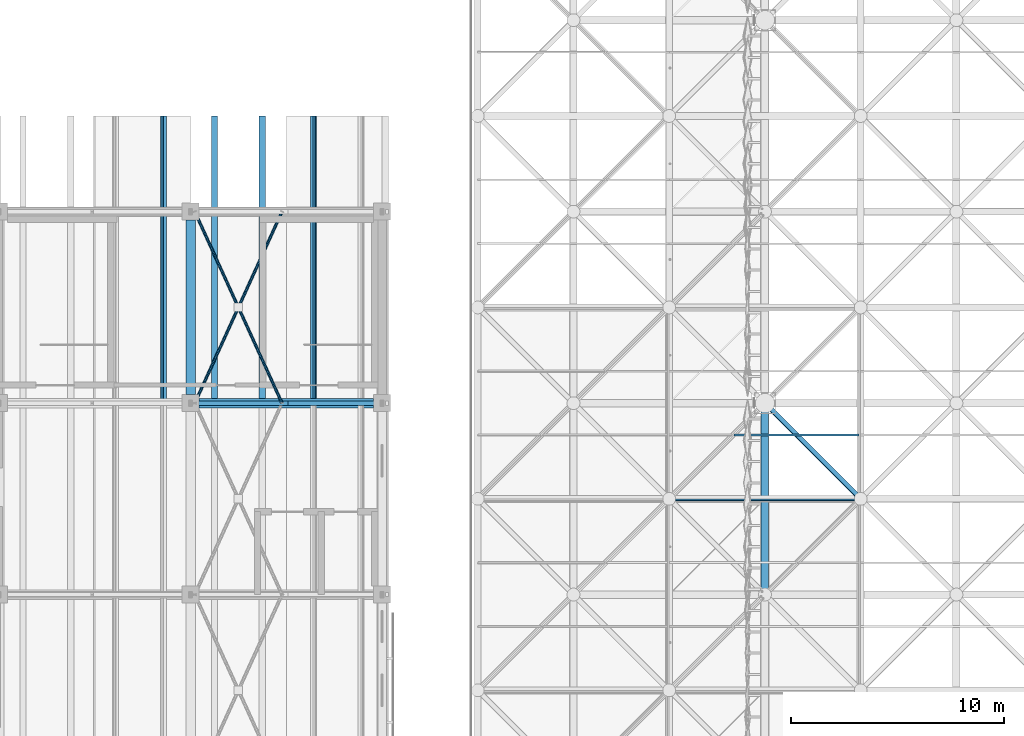
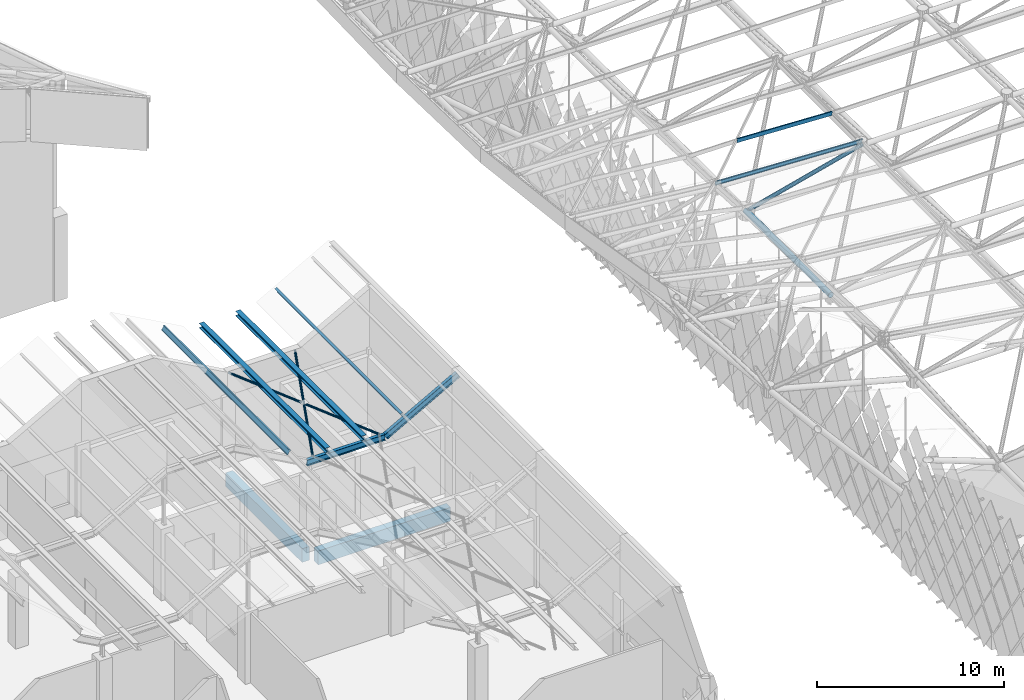
# One storey, part 75 of 437: 13 members, 2 beams.
"""IFC4 building model written with IfcOpenShell, lengths in metres."""

from ifc_helpers import new_model, si_unit, direction, frame, origin, origin_2d, place, context, subcontext, project, spatial, polyline, rectangle, hollow_circle, i_section, outline, extrude, material, material_profile, profile_set, type_object, element, save


model = new_model("IFC4")

# Units and contexts
model_context = context("Model", 3, precision=1e-05, world=origin(), true_north=direction((0.0, 1.0)))
body_context = subcontext(model_context, "Body", "Model", "MODEL_VIEW")
ifc_project = project(units=[si_unit("LENGTHUNIT", "METRE"), si_unit("AREAUNIT", "SQUARE_METRE"), si_unit("VOLUMEUNIT", "CUBIC_METRE"), si_unit("PLANEANGLEUNIT", "RADIAN"), si_unit("MASSUNIT", "GRAM", prefix="KILO")], contexts=[model_context])

# Site, building, storey
site_placement = place(None, origin())
site = spatial("IfcSite", under=ifc_project, at=site_placement, CompositionType="ELEMENT")
building_placement = place(site_placement, origin())
building = spatial("IfcBuilding", under=site, at=building_placement, Name="Opaline Strait Convention Centre", CompositionType="ELEMENT")
storey_placement = place(building_placement, frame((0.0, 0.0, 11.5)))
storey = spatial("IfcBuildingStorey", under=building, at=storey_placement, Name="L02", CompositionType="ELEMENT", Elevation=11.5)

# Members
ifc_material_1 = material(Name="Steel Q355B", Category="steel")
ifc_material_profile_1 = material_profile(ifc_material_1, i_section(OverallWidth=0.300048828125, OverallDepth=0.300048828125, WebThickness=0.010009765625, FlangeThickness=0.014892578125, FilletRadius=0.012939453125, at=origin_2d()), Name="HW 300x300x10x15")
ifc_profile_set_1 = profile_set([ifc_material_profile_1], Name="Steel Q355B")
member_type_1 = type_object("IfcMemberType", Name="Crest purlin HW 300x300x10x15", PredefinedType="PURLIN", material=ifc_profile_set_1)
for number, where, z_axis, x_axis, name in (
    (1, (73.125, 90.0, 5.949951171875), (0.0, 1.0, 0.0), (-1.0, 0.0, 0.0), "RU1 purlin facet 15 line 1"),
    (2, (75.375, 90.0, 5.949951171875), (0.0, 1.0, 0.0), (-1.0, 0.0, 0.0), "RU1 purlin facet 15 line 2"),
):
    element("IfcMember", number, at=place(storey_placement, frame(where, z_axis=z_axis, x_axis=x_axis)), inside=storey, type_object=member_type_1, Name=name, PredefinedType="PURLIN", context=body_context, shape_type="SweptSolid", body=[
        extrude(i_section(OverallWidth=0.300048828125, OverallDepth=0.300048828125, WebThickness=0.010009765625, FlangeThickness=0.014892578125, FilletRadius=0.012939453125, at=origin_2d()), origin(), (0.0, 0.0, 1.0), 13.5),
    ])

# Beams
ifc_material_2 = material(Name="Concrete C35", Category="concrete")
ifc_material_profile_2 = material_profile(ifc_material_2, rectangle(XDim=0.449951171875, YDim=0.89990234375, at=origin_2d()), Name="RC 450x900")
ifc_profile_set_2 = profile_set([ifc_material_profile_2], Name="Concrete C35")
beam_type = type_object("IfcBeamType", Name="RC beam 450x900 C35", PredefinedType="BEAM", material=ifc_profile_set_2)
for number, where, z_axis, x_axis, name in (
    (3, (72.39990234375, 90.0, -0.72998046875), (1.0, 0.0, 0.0), (0.0, 1.0, 0.0), "XB1 L02 72/90-81/90"),
    (4, (72.0, 90.39990234375, -0.72998046875), (0.0, 1.0, 0.0), (-1.0, 0.0, 0.0), "XB1 L02 72/90-72/99"),
):
    element("IfcBeam", number, at=place(storey_placement, frame(where, z_axis=z_axis, x_axis=x_axis)), inside=storey, type_object=beam_type, Name=name, PredefinedType="BEAM", context=body_context, shape_type="SweptSolid", body=[
        extrude(rectangle(XDim=0.449951171875, YDim=0.89990234375, at=origin_2d()), origin(), (0.0, 0.0, 1.0), 8.2001953125),
    ])

# Members
ifc_material_profile_3 = material_profile(ifc_material_1, hollow_circle(Radius=0.070068359375, WallThickness=0.0048828125, at=origin_2d()), Name="CHS 140x5")
ifc_profile_set_3 = profile_set([ifc_material_profile_3], Name="Steel Q355B")
member_type_2 = type_object("IfcMemberType", Name="Roof bracing CHS 140x5", PredefinedType="BRACE", material=ifc_profile_set_3)
member_1_placement = place(storey_placement, frame((72.199951171875, 90.0, 5.8701171875), z_axis=(0.414572789354, 0.910016154981, 0.0), x_axis=(-0.910016154981, 0.414572789354, 0.0)))
element("IfcMember", 5, at=member_1_placement, inside=storey, type_object=member_type_2, Name="RX1 roof brace bay 10 at 72", PredefinedType="BRACE", context=body_context, shape_type="SweptSolid", body=[
    extrude(hollow_circle(Radius=0.070068359375, WallThickness=0.0048828125, at=origin_2d()), origin(), (0.0, 0.0, 1.0), 9.889892578125),
])
for number, where, z_axis, x_axis, name in (
    (6, (76.300048828125, 90.0, 5.8701171875), (-0.41458243593, 0.910011760264, 0.0), (-0.910011760264, -0.41458243593, 0.0), "RX1 roof brace bay 10 at 72"),
    (7, (74.185546875, 94.6416015625, 5.8701171875), (-0.41458243593, 0.910011760264, 0.0), (-0.910011760264, -0.41458243593, 0.0), "RX1 roof brace bay 10 at 72"),
):
    element("IfcMember", number, at=place(storey_placement, frame(where, z_axis=z_axis, x_axis=x_axis)), inside=storey, type_object=member_type_2, Name=name, PredefinedType="BRACE", context=body_context, shape_type="SweptSolid", body=[
        extrude(hollow_circle(Radius=0.070068359375, WallThickness=0.0048828125, at=origin_2d()), origin(), (0.0, 0.0, 1.0), 4.789306640625),
    ])
ifc_material_profile_4 = material_profile(ifc_material_1, outline(polyline([(-0.03759765625, -0.125), (0.03759765625, -0.125), (0.03759765625, -0.10498046875), (0.034912109375, -0.10498046875), (0.034912109375, -0.12255859375), (-0.034912109375, -0.12255859375), (-0.034912109375, 0.12255859375), (0.034912109375, 0.12255859375), (0.034912109375, 0.10498046875), (0.03759765625, 0.10498046875), (0.03759765625, 0.125), (-0.03759765625, 0.125), (-0.03759765625, -0.125)])), Name="C 250x75x20x2.5")
ifc_profile_set_4 = profile_set([ifc_material_profile_4], Name="Steel Q355B")
member_type_3 = type_object("IfcMemberType", Name="Roof purlin C 250x75x20x2.5", PredefinedType="PURLIN", material=ifc_profile_set_4)
member_2_placement = place(storey_placement, frame((103.550048828125, 85.45361328125, 18.257568359375), z_axis=(-0.999005016003, 0.0, 0.044597959613), x_axis=(0.002411571545, -0.998536953469, 0.054019782307)))
element("IfcMember", 8, at=member_2_placement, inside=storey, type_object=member_type_3, Name="EXB-RF-E-1-4b", PredefinedType="PURLIN", context=body_context, shape_type="SweptSolid", body=[
    extrude(outline(polyline([(-0.03759765625, -0.125), (0.03759765625, -0.125), (0.03759765625, -0.10498046875), (0.034912109375, -0.10498046875), (0.034912109375, -0.12255859375), (-0.034912109375, -0.12255859375), (-0.034912109375, 0.12255859375), (0.034912109375, 0.12255859375), (0.034912109375, 0.10498046875), (0.03759765625, 0.10498046875), (0.03759765625, 0.125), (-0.03759765625, 0.125), (-0.03759765625, -0.125)])), origin(), (0.0, 0.0, 1.0), 9.109130859375),
])
member_3_placement = place(storey_placement, frame((97.550048828125, 88.5, 18.522705078125), z_axis=(0.999005721795, 0.0, -0.044582146876), x_axis=(0.0, 1.0, 0.0)))
element("IfcMember", 9, at=member_3_placement, inside=storey, type_object=member_type_3, Name="EXB-RF-P-1-5-0a", PredefinedType="PURLIN", context=body_context, shape_type="SweptSolid", body=[
    extrude(outline(polyline([(-0.03759765625, -0.125), (0.03759765625, -0.125), (0.03759765625, -0.10498046875), (0.034912109375, -0.10498046875), (0.034912109375, -0.12255859375), (-0.034912109375, -0.12255859375), (-0.034912109375, 0.12255859375), (0.034912109375, 0.12255859375), (0.034912109375, 0.10498046875), (0.03759765625, 0.10498046875), (0.03759765625, 0.125), (-0.03759765625, 0.125), (-0.03759765625, -0.125)])), origin(), (0.0, 0.0, 1.0), 5.8759765625),
])
ifc_material_profile_5 = material_profile(ifc_material_1, i_section(OverallWidth=0.14990234375, OverallDepth=0.300048828125, WebThickness=0.006591796875, FlangeThickness=0.009033203125, FilletRadius=0.012939453125, at=origin_2d()), Name="HN 300x150x6.5x9")
ifc_profile_set_5 = profile_set([ifc_material_profile_5], Name="Steel Q355B")
member_type_4 = type_object("IfcMemberType", Name="Roof purlin HN 300x150x6.5x9", PredefinedType="PURLIN", material=ifc_profile_set_5)
for number, where, z_axis, x_axis, name in (
    (10, (70.729248046875, 90.0, 6.61279296875), (0.0, 1.0, 0.0), (-0.874157310866, 0.0, 0.485642868639), "RU1 purlin facet 14 line 2"),
    (11, (77.770751953125, 90.0, 6.61279296875), (0.0, 1.0, 0.0), (-0.874157310866, 0.0, -0.485642868639), "RU1 purlin facet 16 line 1"),
):
    element("IfcMember", number, at=place(storey_placement, frame(where, z_axis=z_axis, x_axis=x_axis)), inside=storey, type_object=member_type_4, Name=name, PredefinedType="PURLIN", context=body_context, shape_type="SweptSolid", body=[
        extrude(i_section(OverallWidth=0.14990234375, OverallDepth=0.300048828125, WebThickness=0.006591796875, FlangeThickness=0.009033203125, FilletRadius=0.012939453125, at=origin_2d()), origin(), (0.0, 0.0, 1.0), 13.5),
    ])
ifc_material_profile_6 = material_profile(ifc_material_1, i_section(OverallWidth=0.199951171875, OverallDepth=0.39990234375, WebThickness=0.008056640625, FlangeThickness=0.012939453125, FilletRadius=0.012939453125, at=origin_2d()), Name="HN 400x200x8x13")
ifc_profile_set_6 = profile_set([ifc_material_profile_6], Name="Steel Q355B")
member_type_5 = type_object("IfcMemberType", Name="Roof rafter HN 400x200x8x13", PredefinedType="RAFTER", material=ifc_profile_set_6)
member_4_placement = place(storey_placement, frame((71.83154296875, 90.0, 5.60009765625), z_axis=(1.0, 0.0, 0.0), x_axis=(0.0, 1.0, 0.0)))
element("IfcMember", 12, at=member_4_placement, inside=storey, type_object=member_type_5, Name="RR1 rafter line 10 facet 16", PredefinedType="RAFTER", context=body_context, shape_type="SweptSolid", body=[
    extrude(i_section(OverallWidth=0.199951171875, OverallDepth=0.39990234375, WebThickness=0.008056640625, FlangeThickness=0.012939453125, FilletRadius=0.012939453125, at=origin_2d()), origin(), (0.0, 0.0, 1.0), 4.8369140625),
])
member_5_placement = place(storey_placement, frame((76.66845703125, 90.0, 5.60009765625), z_axis=(0.874157276122, 0.0, 0.485642931179), x_axis=(0.0, 1.0, 0.0)))
element("IfcMember", 13, at=member_5_placement, inside=storey, type_object=member_type_5, Name="RR1 rafter line 10 facet 17", PredefinedType="RAFTER", context=body_context, shape_type="SweptSolid", body=[
    extrude(i_section(OverallWidth=0.199951171875, OverallDepth=0.39990234375, WebThickness=0.008056640625, FlangeThickness=0.012939453125, FilletRadius=0.012939453125, at=origin_2d()), origin(), (0.0, 0.0, 1.0), 5.147705078125),
])
ifc_material_profile_7 = material_profile(ifc_material_1, hollow_circle(Radius=0.175537109375, WallThickness=0.01611328125, at=origin_2d()), Name="CHS 351x16")
ifc_profile_set_7 = profile_set([ifc_material_profile_7], Name="Steel Q355B")
member_type_6 = type_object("IfcMemberType", Name="Space frame bottom chord CHS 351x16", PredefinedType="CHORD", material=ifc_profile_set_7)
member_6_placement = place(storey_placement, frame((99.0, 80.949951171875, 12.5), z_axis=(0.0, 1.0, 0.0), x_axis=(-1.0, 0.0, 0.0)))
element("IfcMember", 14, at=member_6_placement, inside=storey, type_object=member_type_6, Name="EXB-RF-BY-1-4", PredefinedType="CHORD", context=body_context, shape_type="SweptSolid", body=[
    extrude(hollow_circle(Radius=0.175537109375, WallThickness=0.01611328125, at=origin_2d()), origin(), (0.0, 0.0, 1.0), 9.10009765625),
])
ifc_material_profile_8 = material_profile(ifc_material_1, hollow_circle(Radius=0.12255859375, WallThickness=0.011962890625, at=origin_2d()), Name="CHS 245x12")
ifc_profile_set_8 = profile_set([ifc_material_profile_8], Name="Steel Q355B")
member_type_7 = type_object("IfcMemberType", Name="Space frame web CHS 245x12", PredefinedType="BRACE", material=ifc_profile_set_8)
member_7_placement = place(storey_placement, frame((103.52685546875, 85.47314453125, 18.004150390625), z_axis=(-0.536178220346, 0.536178220346, -0.6519400525), x_axis=(-0.707106781187, -0.707106781187, 0.0)))
element("IfcMember", 15, at=member_7_placement, inside=storey, type_object=member_type_7, Name="EXB-RF-W-1-5-10", PredefinedType="BRACE", context=body_context, shape_type="SweptSolid", body=[
    extrude(hollow_circle(Radius=0.12255859375, WallThickness=0.011962890625, at=origin_2d()), origin(), (0.0, 0.0, 1.0), 8.492919921875),
])

save(model, "model.ifc")
